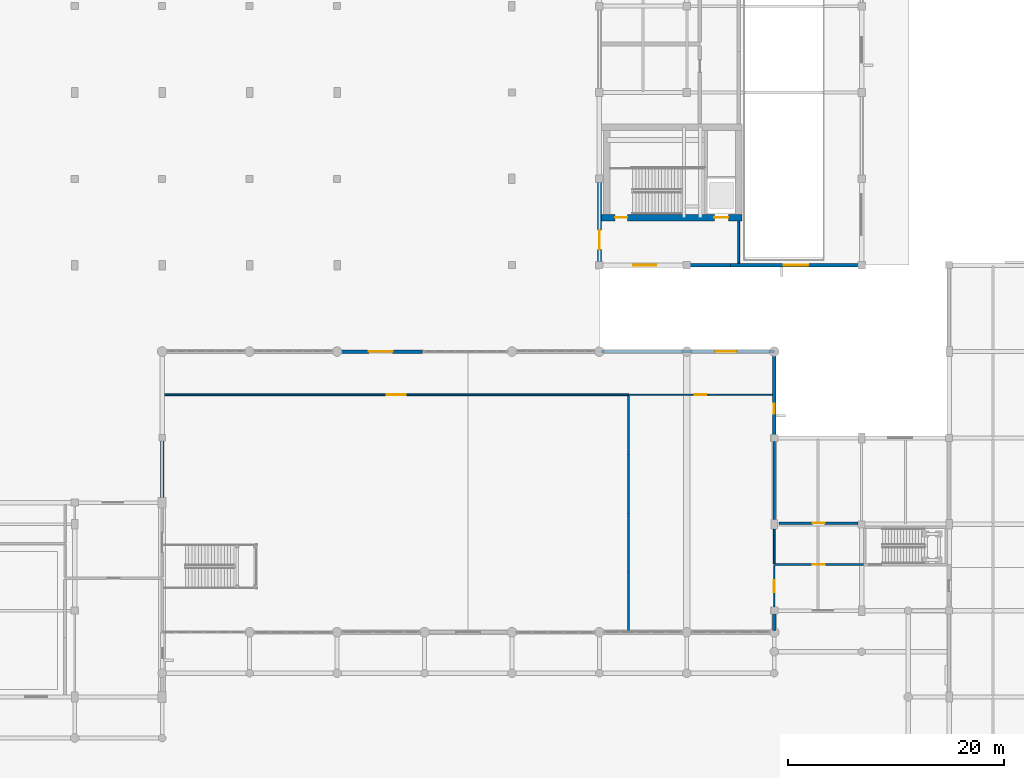
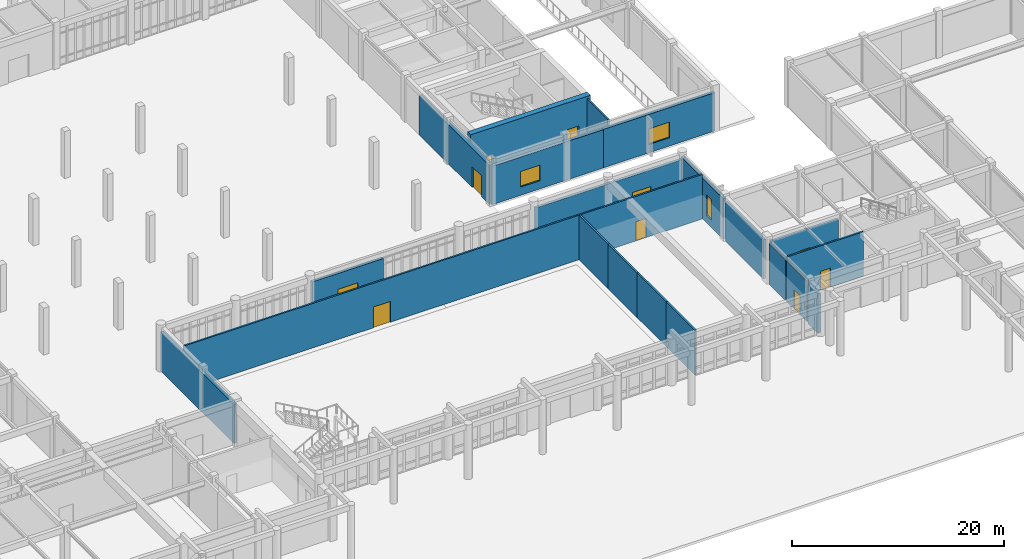
# One storey, part 44 of 62: 21 walls, 10 doors, 3 windows, 13 openings.
"""IFC4 building model written with IfcOpenShell, lengths in metres."""

from ifc_helpers import new_model, si_unit, direction, frame, frame_2d, origin, place, context, subcontext, project, spatial, rectangle, extrude, material, layer, layer_set, type_object, element, fill, save


model = new_model("IFC4")

# Units and contexts
model_context = context("Model", 3, precision=1e-05, world=origin(), true_north=direction((0.0, 1.0)))
body_context = subcontext(model_context, "Body", "Model", "MODEL_VIEW")
ifc_project = project(units=[si_unit("LENGTHUNIT", "METRE"), si_unit("AREAUNIT", "SQUARE_METRE"), si_unit("VOLUMEUNIT", "CUBIC_METRE"), si_unit("PLANEANGLEUNIT", "RADIAN"), si_unit("MASSUNIT", "GRAM", prefix="KILO")], contexts=[model_context])

# Site, building, storey
site_placement = place(None, origin())
site = spatial("IfcSite", under=ifc_project, at=site_placement, CompositionType="ELEMENT")
building_placement = place(site_placement, origin())
building = spatial("IfcBuilding", under=site, at=building_placement, Name="Tarnveldt Square Police Headquarters", CompositionType="ELEMENT")
storey_placement = place(building_placement, origin())
storey = spatial("IfcBuildingStorey", under=building, at=storey_placement, Name="L00", CompositionType="ELEMENT", Elevation=0.0)

# Walls
ifc_material_1 = material(Name="Fire-rated Type X gypsum board on steel studs", Category="steel")
ifc_layer_1 = layer(ifc_material_1, 0.199951171875)
ifc_layer_set_1 = layer_set([ifc_layer_1], Name="Fire-rated Type X gypsum board on steel studs")
wall_type_1 = type_object("IfcWallType", Name="WL-ACOUST-200", PredefinedType="PARTITIONING", material=ifc_layer_set_1)
for number, where, z_axis, x_axis, name in (
    (1, (108.0, 22.06494140625, 0.0), (0.0, 0.0, 1.0), (0.0, 1.0, 0.0), "L00 Interior Partition Wall 0189"),
    (2, (108.0, 27.524169921875, 0.0), (0.0, 0.0, 1.0), (0.0, 1.0, 0.0), "L00 Interior Partition Wall 0190"),
):
    element("IfcWall", number, at=place(storey_placement, frame(where, z_axis=z_axis, x_axis=x_axis)), inside=storey, type_object=wall_type_1, Name=name, PredefinedType="PARTITIONING", context=body_context, shape_type="SweptSolid", body=[
        extrude(rectangle(XDim=5.459228515625, YDim=0.199951171875, at=frame_2d((2.7294921875, 0.0))), origin(), (0.0, 0.0, 1.0), 5.1201171875),
    ])
wall_1_placement = place(storey_placement, frame((108.0, 32.9833984375, 0.0), z_axis=(0.0, 0.0, 1.0), x_axis=(0.0, 1.0, 0.0)))
element("IfcWall", 3, at=wall_1_placement, inside=storey, type_object=wall_type_1, Name="L00 Interior Partition Wall 0191", PredefinedType="PARTITIONING", context=body_context, shape_type="SweptSolid", body=[
    extrude(rectangle(XDim=5.45947265625, YDim=0.199951171875, at=frame_2d((2.729736328125, 0.0))), origin(), (0.0, 0.0, 1.0), 5.1201171875),
])
wall_2_placement = place(storey_placement, frame((108.0, 38.44287109375, 0.0), z_axis=(0.0, 0.0, 1.0), x_axis=(0.0, 1.0, 0.0)))
element("IfcWall", 4, at=wall_2_placement, inside=storey, type_object=wall_type_1, Name="L00 Interior Partition Wall 0192", PredefinedType="PARTITIONING", context=body_context, shape_type="SweptSolid", body=[
    extrude(rectangle(XDim=5.459228515625, YDim=0.199951171875, at=frame_2d((2.7294921875, 0.0))), origin(), (0.0, 0.0, 1.0), 5.1201171875),
])

# Wall, openings, doors
ifc_material_2 = material(Name="Concrete 50 MPa", Category="concrete")
ifc_layer_2 = layer(ifc_material_2, 0.60009765625)
ifc_layer_set_2 = layer_set([ifc_layer_2], Name="Concrete 50 MPa")
wall_type_2 = type_object("IfcWallType", Name="WL-CORE-600", PredefinedType="SHEAR", material=ifc_layer_set_2)
wall_3_placement = place(storey_placement, frame((105.47998046875, 60.39990234375, 0.0), z_axis=(0.0, 0.0, 1.0), x_axis=(1.0, 0.0, 0.0)))
wall_3 = element("IfcWall", 5, at=wall_3_placement, inside=storey, type_object=wall_type_2, Name="Core K4 East Custody and Tactical Core L00 South Shear Wall", PredefinedType="SHEAR", context=body_context, shape_type="SweptSolid", body=[
    extrude(rectangle(XDim=13.02001953125, YDim=0.60009765625, at=frame_2d((6.510009765625, 0.0))), origin(), (0.0, 0.0, 1.0), 5.39990234375),
])
opening_1_placement = place(wall_3_placement, frame((1.27001953125, 0.0, 0.0)))
opening_1 = element("IfcOpeningElement", 6, at=opening_1_placement, cuts=wall_3, Name="Opening D-ST4-L00", PredefinedType="OPENING", context=body_context, shape_type="SweptSolid", body=[
    extrude(rectangle(XDim=1.14990234375, YDim=2.25, at=frame_2d((0.574951171875, 1.125))), frame((0.0, 0.31005859375, 0.0), z_axis=(0.0, -1.0, 0.0), x_axis=(1.0, 0.0, 0.0)), (0.0, 0.0, 1.0), 0.6201171875),
])
opening_2_placement = place(wall_3_placement, frame((10.47509765625, 0.0, 0.0)))
opening_2 = element("IfcOpeningElement", 7, at=opening_2_placement, cuts=wall_3, Name="Opening LD-LS1-L00", PredefinedType="OPENING", context=body_context, shape_type="SweptSolid", body=[
    extrude(rectangle(XDim=1.300048828125, YDim=2.300048828125, at=frame_2d((0.64990234375, 1.14990234375))), frame((0.0, 0.31005859375, 0.0), z_axis=(0.0, -1.0, 0.0), x_axis=(1.0, 0.0, 0.0)), (0.0, 0.0, 1.0), 0.6201171875),
])
ifc_material_3 = material(Name="Insulated hollow metal steel door leaf", Category="steel")
door_type_1 = type_object("IfcDoorType", Name="DR-FD90-1150", OperationType="NOTDEFINED", PredefinedType="DOOR", material=ifc_material_3)
door_1_placement = place(opening_1_placement, frame((1.14990234375, 0.0, 0.0), z_axis=(0.0, 0.0, 1.0), x_axis=(-1.0, 0.0, 0.0)))
door_1 = element("IfcDoor", 8, at=door_1_placement, inside=storey, type_object=door_type_1, Name="Exit Stair ST4 L00 Fire Door", OperationType="SINGLE_SWING_RIGHT", OverallHeight=2.25, OverallWidth=1.14990234375, PredefinedType="DOOR", context=body_context, shape_type="SweptSolid", body=[
    extrude(rectangle(XDim=1.14990234375, YDim=2.25, at=frame_2d((0.574951171875, 1.125))), frame((0.0, 0.02490234375, 0.0), z_axis=(0.0, -1.0, 0.0), x_axis=(1.0, 0.0, 0.0)), (0.0, 0.0, 1.0), 0.050048828125),
])
fill(opening_1, door_1)
ifc_material_4 = material(Name="Steel 350W", Category="steel")
door_type_2 = type_object("IfcDoorType", Name="DR-LD-1300", OperationType="DOUBLE_DOOR_SLIDING", PredefinedType="DOOR", material=ifc_material_4)
door_2_placement = place(opening_2_placement, frame((1.300048828125, 0.0, 0.0), z_axis=(0.0, 0.0, 1.0), x_axis=(-1.0, 0.0, 0.0)))
door_2 = element("IfcDoor", 9, at=door_2_placement, inside=storey, type_object=door_type_2, Name="Elevator LS1 L00 Sliding Landing Door", OperationType="DOUBLE_DOOR_SLIDING", OverallHeight=2.300048828125, OverallWidth=1.300048828125, PredefinedType="DOOR", context=body_context, shape_type="SweptSolid", body=[
    extrude(rectangle(XDim=1.300048828125, YDim=2.300048828125, at=frame_2d((0.64990234375, 1.14990234375))), frame((0.0, 0.02490234375, 0.0), z_axis=(0.0, -1.0, 0.0), x_axis=(1.0, 0.0, 0.0)), (0.0, 0.0, 1.0), 0.050048828125),
])
fill(opening_2, door_2)

# Wall, opening, window
ifc_material_5 = material(Name="Concrete 40 MPa", Category="concrete")
ifc_layer_3 = layer(ifc_material_5, 0.35009765625)
ifc_layer_set_3 = layer_set([ifc_layer_3], Name="Concrete 40 MPa")
wall_type_3 = type_object("IfcWallType", Name="WL-CUST-350", PredefinedType="SOLIDWALL", material=ifc_layer_set_3)
wall_4_placement = place(storey_placement, frame((105.300048828125, 56.0, 0.0), z_axis=(0.0, 0.0, 1.0), x_axis=(1.0, 0.0, 0.0)))
wall_4 = element("IfcWall", 10, at=wall_4_placement, inside=storey, type_object=wall_type_3, Name="L00 Brutalist Exterior Wall 0049", PredefinedType="SOLIDWALL", context=body_context, shape_type="SweptSolid", body=[
    extrude(rectangle(XDim=12.14990234375, YDim=0.35009765625, at=frame_2d((6.074951171875, 0.0))), origin(), (0.0, 0.0, 1.0), 4.412109375),
])
opening_3_placement = place(wall_4_placement, frame((3.14990234375, 0.0, 0.949951171875)))
opening_3 = element("IfcOpeningElement", 11, at=opening_3_placement, cuts=wall_4, Name="Opening W12", PredefinedType="OPENING", context=body_context, shape_type="SweptSolid", body=[
    extrude(rectangle(XDim=2.10009765625, YDim=1.800048828125, at=frame_2d((1.050048828125, 0.89990234375))), frame((0.0, 0.18505859375, 0.0), z_axis=(0.0, -1.0, 0.0), x_axis=(1.0, 0.0, 0.0)), (0.0, 0.0, 1.0), 0.3701171875),
])
ifc_material_6 = material(Name="Triple-glazed low-e laminated vision glass", Category="glass")
window_type_1 = type_object("IfcWindowType", Name="WIN-DR-210x180", PartitioningType="DOUBLE_PANEL_VERTICAL", PredefinedType="WINDOW", material=ifc_material_6)
window_1_placement = place(opening_3_placement, origin())
window_1 = element("IfcWindow", 12, at=window_1_placement, inside=storey, type_object=window_type_1, Name="L00 Deep-Reveal Brutalist Window 0012", OverallHeight=1.800048828125, OverallWidth=2.10009765625, PartitioningType="DOUBLE_PANEL_VERTICAL", PredefinedType="WINDOW", context=body_context, shape_type="SweptSolid", body=[
    extrude(rectangle(XDim=2.10009765625, YDim=1.800048828125, at=frame_2d((1.050048828125, 0.89990234375))), frame((0.0, 0.030029296875, 0.0), z_axis=(0.0, -1.0, 0.0), x_axis=(1.0, 0.0, 0.0)), (0.0, 0.0, 1.0), 0.06005859375),
])
fill(opening_3, window_1)

wall_5_placement = place(storey_placement, frame((117.449951171875, 56.0, 0.0), z_axis=(0.0, 0.0, 1.0), x_axis=(1.0, 0.0, 0.0)))
wall_5 = element("IfcWall", 13, at=wall_5_placement, inside=storey, type_object=wall_type_3, Name="L00 Brutalist Exterior Wall 0050", PredefinedType="SOLIDWALL", context=body_context, shape_type="SweptSolid", body=[
    extrude(rectangle(XDim=12.150146484375, YDim=0.35009765625, at=frame_2d((6.0751953125, 0.0))), origin(), (0.0, 0.0, 1.0), 4.424072265625),
])
opening_4_placement = place(wall_5_placement, frame((4.949951171875, 0.0, 0.949951171875)))
opening_4 = element("IfcOpeningElement", 14, at=opening_4_placement, cuts=wall_5, Name="Opening W13", PredefinedType="OPENING", context=body_context, shape_type="SweptSolid", body=[
    extrude(rectangle(XDim=2.25, YDim=1.800048828125, at=frame_2d((1.125, 0.89990234375))), frame((0.0, 0.18505859375, 0.0), z_axis=(0.0, -1.0, 0.0), x_axis=(1.0, 0.0, 0.0)), (0.0, 0.0, 1.0), 0.3701171875),
])
window_type_2 = type_object("IfcWindowType", Name="WIN-DR-225x180", PartitioningType="TRIPLE_PANEL_VERTICAL", PredefinedType="WINDOW", material=ifc_material_6)
window_2_placement = place(opening_4_placement, origin())
window_2 = element("IfcWindow", 15, at=window_2_placement, inside=storey, type_object=window_type_2, Name="L00 Deep-Reveal Brutalist Window 0013", OverallHeight=1.800048828125, OverallWidth=2.25, PartitioningType="TRIPLE_PANEL_VERTICAL", PredefinedType="WINDOW", context=body_context, shape_type="SweptSolid", body=[
    extrude(rectangle(XDim=2.25, YDim=1.800048828125, at=frame_2d((1.125, 0.89990234375))), frame((0.0, 0.030029296875, 0.0), z_axis=(0.0, -1.0, 0.0), x_axis=(1.0, 0.0, 0.0)), (0.0, 0.0, 1.0), 0.06005859375),
])
fill(opening_4, window_2)

# Wall, opening, door
wall_6_placement = place(storey_placement, frame((105.300048828125, 69.2734375, 0.0), z_axis=(0.0, 0.0, 1.0), x_axis=(0.0, -1.0, 0.0)))
wall_6 = element("IfcWall", 16, at=wall_6_placement, inside=storey, type_object=wall_type_3, Name="L00 Brutalist Exterior Wall 0058", PredefinedType="SOLIDWALL", context=body_context, shape_type="SweptSolid", body=[
    extrude(rectangle(XDim=13.2734375, YDim=0.35009765625, at=frame_2d((6.63671875, 0.0))), origin(), (0.0, 0.0, 1.0), 4.511962890625),
])
opening_5_placement = place(wall_6_placement, frame((10.0234375, 0.0, 0.0)))
opening_5 = element("IfcOpeningElement", 17, at=opening_5_placement, cuts=wall_6, Name="Opening D-E21", PredefinedType="OPENING", context=body_context, shape_type="SweptSolid", body=[
    extrude(rectangle(XDim=1.800048828125, YDim=2.39990234375, at=frame_2d((0.89990234375, 1.199951171875))), frame((0.0, 0.18505859375, 0.0), z_axis=(0.0, -1.0, 0.0), x_axis=(1.0, 0.0, 0.0)), (0.0, 0.0, 1.0), 0.3701171875),
])
ifc_material_7 = material(Name="Thermally broken anodised aluminium 6063-T6", Category="aluminium")
door_type_3 = type_object("IfcDoorType", Name="DR-EXIT-1800", OperationType="DOUBLE_DOOR_SINGLE_SWING", PredefinedType="DOOR", material=ifc_material_7)
door_3_placement = place(opening_5_placement, frame((1.800048828125, 0.0, 0.0), z_axis=(0.0, 0.0, 1.0), x_axis=(-1.0, 0.0, 0.0)))
door_3 = element("IfcDoor", 18, at=door_3_placement, inside=storey, type_object=door_type_3, Name="Exit Stair ST4 Grade Final Exit Door D-E21", OperationType="DOUBLE_DOOR_SINGLE_SWING", OverallHeight=2.39990234375, OverallWidth=1.800048828125, PredefinedType="DOOR", context=body_context, shape_type="SweptSolid", body=[
    extrude(rectangle(XDim=1.800048828125, YDim=2.39990234375, at=frame_2d((0.89990234375, 1.199951171875))), frame((0.0, 0.02490234375, 0.0), z_axis=(0.0, -1.0, 0.0), x_axis=(1.0, 0.0, 0.0)), (0.0, 0.0, 1.0), 0.050048828125),
])
fill(opening_5, door_3)

# Wall
ifc_layer_4 = layer(ifc_material_5, 0.320068359375)
ifc_layer_set_4 = layer_set([ifc_layer_4], Name="Concrete 40 MPa")
wall_type_4 = type_object("IfcWallType", Name="WL-EXT-BH320", PredefinedType="SOLIDWALL", material=ifc_layer_set_4)
wall_7_placement = place(storey_placement, frame((121.5, 22.179931640625, 0.0), z_axis=(0.0, 0.0, 1.0), x_axis=(0.0, 1.0, 0.0)))
element("IfcWall", 19, at=wall_7_placement, inside=storey, type_object=wall_type_4, Name="L00 Brutalist Exterior Wall 0009", PredefinedType="SOLIDWALL", context=body_context, shape_type="SweptSolid", body=[
    extrude(rectangle(XDim=1.820068359375, YDim=0.320068359375, at=frame_2d((0.91015625, 0.0))), origin(), (0.0, 0.0, 1.0), 4.511962890625),
])

# Wall, opening, window
wall_8_placement = place(storey_placement, frame((121.5, 40.0, 0.0), z_axis=(0.0, 0.0, 1.0), x_axis=(0.0, 1.0, 0.0)))
wall_8 = element("IfcWall", 20, at=wall_8_placement, inside=storey, type_object=wall_type_4, Name="L00 Brutalist Exterior Wall 0023", PredefinedType="SOLIDWALL", context=body_context, shape_type="SweptSolid", body=[
    extrude(rectangle(XDim=8.0, YDim=0.320068359375, at=frame_2d((4.0, 0.0))), origin(), (0.0, 0.0, 1.0), 4.695068359375),
])
opening_6_placement = place(wall_8_placement, frame((2.25, 0.0, 0.85009765625)))
opening_6 = element("IfcOpeningElement", 21, at=opening_6_placement, cuts=wall_8, Name="Opening W03", PredefinedType="OPENING", context=body_context, shape_type="SweptSolid", body=[
    extrude(rectangle(XDim=0.89990234375, YDim=2.39990234375, at=frame_2d((0.449951171875, 1.199951171875))), frame((0.0, 0.169921875, 0.0), z_axis=(0.0, -1.0, 0.0), x_axis=(1.0, 0.0, 0.0)), (0.0, 0.0, 1.0), 0.340087890625),
])
window_type_3 = type_object("IfcWindowType", Name="WIN-DR-090x240", PartitioningType="DOUBLE_PANEL_HORIZONTAL", PredefinedType="WINDOW", material=ifc_material_6)
window_3_placement = place(opening_6_placement, origin())
window_3 = element("IfcWindow", 22, at=window_3_placement, inside=storey, type_object=window_type_3, Name="L00 Deep-Reveal Brutalist Window 0003", OverallHeight=2.39990234375, OverallWidth=0.89990234375, PartitioningType="DOUBLE_PANEL_HORIZONTAL", PredefinedType="WINDOW", context=body_context, shape_type="SweptSolid", body=[
    extrude(rectangle(XDim=0.89990234375, YDim=2.39990234375, at=frame_2d((0.449951171875, 1.199951171875))), frame((0.0, 0.030029296875, 0.0), z_axis=(0.0, -1.0, 0.0), x_axis=(1.0, 0.0, 0.0)), (0.0, 0.0, 1.0), 0.06005859375),
])
fill(opening_6, window_3)

# Wall, opening, door
wall_9_placement = place(storey_placement, frame((88.919921875, 48.0, 0.0), z_axis=(0.0, 0.0, 1.0), x_axis=(-1.0, 0.0, 0.0)))
wall_9 = element("IfcWall", 23, at=wall_9_placement, inside=storey, type_object=wall_type_4, Name="L00 Brutalist Exterior Wall 0025", PredefinedType="SOLIDWALL", context=body_context, shape_type="SweptSolid", body=[
    extrude(rectangle(XDim=7.739990234375, YDim=0.320068359375, at=frame_2d((3.8701171875, 0.0))), origin(), (0.0, 0.0, 1.0), 4.424072265625),
])
opening_7_placement = place(wall_9_placement, frame((2.77001953125, 0.0, 0.0)))
opening_7 = element("IfcOpeningElement", 24, at=opening_7_placement, cuts=wall_9, Name="Opening D-E10", PredefinedType="OPENING", context=body_context, shape_type="SweptSolid", body=[
    extrude(rectangle(XDim=2.199951171875, YDim=2.60009765625, at=frame_2d((1.10009765625, 1.300048828125))), frame((0.0, 0.169921875, 0.0), z_axis=(0.0, -1.0, 0.0), x_axis=(1.0, 0.0, 0.0)), (0.0, 0.0, 1.0), 0.340087890625),
])
door_type_4 = type_object("IfcDoorType", Name="DR-EXIT-2200", OperationType="DOUBLE_DOOR_SINGLE_SWING", PredefinedType="DOOR", material=ifc_material_7)
door_4_placement = place(opening_7_placement, frame((2.199951171875, 0.0, 0.0), z_axis=(0.0, 0.0, 1.0), x_axis=(-1.0, 0.0, 0.0)))
door_4 = element("IfcDoor", 25, at=door_4_placement, inside=storey, type_object=door_type_4, Name="Pedestrian Grade Final Exit Door D-E10", OperationType="DOUBLE_DOOR_SINGLE_SWING", OverallHeight=2.60009765625, OverallWidth=2.199951171875, PredefinedType="DOOR", context=body_context, shape_type="SweptSolid", body=[
    extrude(rectangle(XDim=2.199951171875, YDim=2.60009765625, at=frame_2d((1.10009765625, 1.300048828125))), frame((0.0, 0.02490234375, 0.0), z_axis=(0.0, -1.0, 0.0), x_axis=(1.0, 0.0, 0.0)), (0.0, 0.0, 1.0), 0.050048828125),
])
fill(opening_7, door_4)

ifc_material_8 = material(Name="Manganese ironspot clay brick masonry 20 MPa", Category="masonry")
ifc_layer_5 = layer(ifc_material_8, 0.300048828125)
ifc_layer_set_5 = layer_set([ifc_layer_5], Name="Manganese ironspot clay brick masonry 20 MPa")
wall_type_5 = type_object("IfcWallType", Name="WL-EXT-BRK300", PredefinedType="SOLIDWALL", material=ifc_layer_set_5)
wall_10_placement = place(storey_placement, frame((121.5, 48.0, 0.0), z_axis=(0.0, 0.0, 1.0), x_axis=(-1.0, 0.0, 0.0)))
wall_10 = element("IfcWall", 26, at=wall_10_placement, inside=storey, type_object=wall_type_5, Name="L00 Brutalist Exterior Wall 0024", PredefinedType="SOLIDWALL", context=body_context, shape_type="SweptSolid", body=[
    extrude(rectangle(XDim=16.02001953125, YDim=0.300048828125, at=frame_2d((8.010009765625, 0.0))), origin(), (0.0, 0.0, 1.0), 4.412109375),
])
opening_8_placement = place(wall_10_placement, frame((3.485595703125, 0.0, 0.0)))
opening_8 = element("IfcOpeningElement", 27, at=opening_8_placement, cuts=wall_10, Name="Opening D-E09", PredefinedType="OPENING", context=body_context, shape_type="SweptSolid", body=[
    extrude(rectangle(XDim=2.0, YDim=2.5, at=frame_2d((1.0, 1.25))), frame((0.0, 0.159912109375, 0.0), z_axis=(0.0, -1.0, 0.0), x_axis=(1.0, 0.0, 0.0)), (0.0, 0.0, 1.0), 0.320068359375),
])
door_type_5 = type_object("IfcDoorType", Name="DR-EXIT-2000", OperationType="DOUBLE_DOOR_SINGLE_SWING", PredefinedType="DOOR", material=ifc_material_7)
door_5_placement = place(opening_8_placement, frame((2.0, 0.0, 0.0), z_axis=(0.0, 0.0, 1.0), x_axis=(-1.0, 0.0, 0.0)))
door_5 = element("IfcDoor", 28, at=door_5_placement, inside=storey, type_object=door_type_5, Name="Pedestrian Grade Final Exit Door D-E09", OperationType="DOUBLE_DOOR_SINGLE_SWING", OverallHeight=2.5, OverallWidth=2.0, PredefinedType="DOOR", context=body_context, shape_type="SweptSolid", body=[
    extrude(rectangle(XDim=2.0, YDim=2.5, at=frame_2d((1.0, 1.25))), frame((0.0, 0.02490234375, 0.0), z_axis=(0.0, -1.0, 0.0), x_axis=(1.0, 0.0, 0.0)), (0.0, 0.0, 1.0), 0.050048828125),
])
fill(opening_8, door_5)

# Wall
wall_11_placement = place(storey_placement, frame((64.800048828125, 47.820068359375, 0.0), z_axis=(0.0, 0.0, 1.0), x_axis=(0.0, -1.0, 0.0)))
element("IfcWall", 29, at=wall_11_placement, inside=storey, type_object=wall_type_5, Name="L00 Brutalist Exterior Wall 0026", PredefinedType="SOLIDWALL", context=body_context, shape_type="SweptSolid", body=[
    extrude(rectangle(XDim=13.820068359375, YDim=0.300048828125, at=frame_2d((6.91015625, 0.0))), origin(), (0.0, 0.0, 1.0), 4.511962890625),
])

# Wall, opening, door
ifc_layer_6 = layer(ifc_material_1, 0.179931640625)
ifc_layer_set_6 = layer_set([ifc_layer_6], Name="Fire-rated Type X gypsum board on steel studs")
wall_type_6 = type_object("IfcWallType", Name="WL-FIRE-180", PredefinedType="PARTITIONING", material=ifc_layer_set_6)
wall_12_placement = place(storey_placement, frame((64.9580078125, 44.0, 0.0), z_axis=(0.0, 0.0, 1.0), x_axis=(1.0, 0.0, 0.0)))
wall_12 = element("IfcWall", 30, at=wall_12_placement, inside=storey, type_object=wall_type_6, Name="L00 Interior Partition Wall 0133", PredefinedType="PARTITIONING", context=body_context, shape_type="SweptSolid", body=[
    extrude(rectangle(XDim=43.0419921875, YDim=0.179931640625, at=frame_2d((21.52099609375, 0.0))), origin(), (0.0, 0.0, 1.0), 5.1201171875),
])
opening_9_placement = place(wall_12_placement, frame((20.62109375, 0.0, 0.0)))
opening_9 = element("IfcOpeningElement", 31, at=opening_9_placement, cuts=wall_12, Name="Opening D24", PredefinedType="OPENING", context=body_context, shape_type="SweptSolid", body=[
    extrude(rectangle(XDim=1.800048828125, YDim=2.39990234375, at=frame_2d((0.89990234375, 1.199951171875))), frame((0.0, 0.099853515625, 0.0), z_axis=(0.0, -1.0, 0.0), x_axis=(1.0, 0.0, 0.0)), (0.0, 0.0, 1.0), 0.199951171875),
])
door_type_6 = type_object("IfcDoorType", Name="DR-PAIR-1800", OperationType="DOUBLE_DOOR_SINGLE_SWING", PredefinedType="DOOR", material=ifc_material_3)
door_6_placement = place(opening_9_placement, frame((1.800048828125, 0.0, 0.0), z_axis=(0.0, 0.0, 1.0), x_axis=(-1.0, 0.0, 0.0)))
door_6 = element("IfcDoor", 32, at=door_6_placement, inside=storey, type_object=door_type_6, Name="Public Entrance Hall Door", OperationType="DOUBLE_DOOR_SINGLE_SWING", OverallHeight=2.39990234375, OverallWidth=1.800048828125, PredefinedType="DOOR", context=body_context, shape_type="SweptSolid", body=[
    extrude(rectangle(XDim=1.800048828125, YDim=2.39990234375, at=frame_2d((0.89990234375, 1.199951171875))), frame((0.0, 0.02490234375, 0.0), z_axis=(0.0, -1.0, 0.0), x_axis=(1.0, 0.0, 0.0)), (0.0, 0.0, 1.0), 0.050048828125),
])
fill(opening_9, door_6)

wall_13_placement = place(storey_placement, frame((108.0, 44.0, 0.0), z_axis=(0.0, 0.0, 1.0), x_axis=(1.0, 0.0, 0.0)))
wall_13 = element("IfcWall", 33, at=wall_13_placement, inside=storey, type_object=wall_type_6, Name="L00 Interior Partition Wall 0139", PredefinedType="PARTITIONING", context=body_context, shape_type="SweptSolid", body=[
    extrude(rectangle(XDim=13.33203125, YDim=0.179931640625, at=frame_2d((6.666015625, 0.0))), origin(), (0.0, 0.0, 1.0), 5.1201171875),
])
opening_10_placement = place(wall_13_placement, frame((6.115966796875, 0.0, 0.0)))
opening_10 = element("IfcOpeningElement", 34, at=opening_10_placement, cuts=wall_13, Name="Opening D07", PredefinedType="OPENING", context=body_context, shape_type="SweptSolid", body=[
    extrude(rectangle(XDim=1.10009765625, YDim=2.199951171875, at=frame_2d((0.550048828125, 1.10009765625))), frame((0.0, 0.099853515625, 0.0), z_axis=(0.0, -1.0, 0.0), x_axis=(1.0, 0.0, 0.0)), (0.0, 0.0, 1.0), 0.199951171875),
])
ifc_material_9 = material(Name="Solid core architectural birch door leaf", Category="wood")
door_type_7 = type_object("IfcDoorType", Name="DR-INT-1100", OperationType="NOTDEFINED", PredefinedType="DOOR", material=ifc_material_9)
door_7_placement = place(opening_10_placement, frame((1.10009765625, 0.0, 0.0), z_axis=(0.0, 0.0, 1.0), x_axis=(-1.0, 0.0, 0.0)))
door_7 = element("IfcDoor", 35, at=door_7_placement, inside=storey, type_object=door_type_7, Name="Public Screening and Memorial Gallery Door", OperationType="SINGLE_SWING_RIGHT", OverallHeight=2.199951171875, OverallWidth=1.10009765625, PredefinedType="DOOR", context=body_context, shape_type="SweptSolid", body=[
    extrude(rectangle(XDim=1.10009765625, YDim=2.199951171875, at=frame_2d((0.550048828125, 1.10009765625))), frame((0.0, 0.02490234375, 0.0), z_axis=(0.0, -1.0, 0.0), x_axis=(1.0, 0.0, 0.0)), (0.0, 0.0, 1.0), 0.050048828125),
])
fill(opening_10, door_7)

wall_14_placement = place(storey_placement, frame((121.5, 28.260009765625, 0.0), z_axis=(0.0, 0.0, 1.0), x_axis=(1.0, 0.0, 0.0)))
wall_14 = element("IfcWall", 36, at=wall_14_placement, inside=storey, type_object=wall_type_6, Name="L00 Interior Partition Wall 0140", PredefinedType="PARTITIONING", context=body_context, shape_type="SweptSolid", body=[
    extrude(rectangle(XDim=8.260009765625, YDim=0.179931640625, at=frame_2d((4.1298828125, 0.0))), origin(), (0.0, 0.0, 1.0), 5.1201171875),
])
opening_11_placement = place(wall_14_placement, frame((3.580078125, 0.0, 0.0)))
opening_11 = element("IfcOpeningElement", 37, at=opening_11_placement, cuts=wall_14, Name="Opening D15", PredefinedType="OPENING", context=body_context, shape_type="SweptSolid", body=[
    extrude(rectangle(XDim=1.10009765625, YDim=2.199951171875, at=frame_2d((0.550048828125, 1.10009765625))), frame((0.0, 0.099853515625, 0.0), z_axis=(0.0, -1.0, 0.0), x_axis=(1.0, 0.0, 0.0)), (0.0, 0.0, 1.0), 0.199951171875),
])
door_type_8 = type_object("IfcDoorType", Name="DR-FD60-1100", OperationType="NOTDEFINED", PredefinedType="DOOR", material=ifc_material_3)
door_8_placement = place(opening_11_placement, origin())
door_8 = element("IfcDoor", 38, at=door_8_placement, inside=storey, type_object=door_type_8, Name="East Wing Range Safety Vestibule Door", OperationType="SINGLE_SWING_LEFT", OverallHeight=2.199951171875, OverallWidth=1.10009765625, PredefinedType="DOOR", context=body_context, shape_type="SweptSolid", body=[
    extrude(rectangle(XDim=1.10009765625, YDim=2.199951171875, at=frame_2d((0.550048828125, 1.10009765625))), frame((0.0, 0.02490234375, 0.0), z_axis=(0.0, -1.0, 0.0), x_axis=(1.0, 0.0, 0.0)), (0.0, 0.0, 1.0), 0.050048828125),
])
fill(opening_11, door_8)

# Wall
wall_15_placement = place(storey_placement, frame((118.199951171875, 56.18310546875, 0.0), z_axis=(0.0, 0.0, 1.0), x_axis=(0.0, 1.0, 0.0)))
element("IfcWall", 39, at=wall_15_placement, inside=storey, type_object=wall_type_6, Name="L00 Interior Partition Wall 0197", PredefinedType="PARTITIONING", context=body_context, shape_type="SweptSolid", body=[
    extrude(rectangle(XDim=3.908935546875, YDim=0.179931640625, at=frame_2d((1.95458984375, 0.0))), origin(), (0.0, 0.0, 1.0), 5.1201171875),
])

# Wall, opening, door
wall_16_placement = place(storey_placement, frame((121.5, 24.3330078125, 0.0), z_axis=(0.0, 0.0, 1.0), x_axis=(0.0, 1.0, 0.0)))
wall_16 = element("IfcWall", 40, at=wall_16_placement, inside=storey, type_object=wall_type_6, Name="L00 Interior Partition Wall 0202", PredefinedType="PARTITIONING", context=body_context, shape_type="SweptSolid", body=[
    extrude(rectangle(XDim=3.8291015625, YDim=0.179931640625, at=frame_2d((1.91455078125, 0.0))), origin(), (0.0, 0.0, 1.0), 4.695068359375),
])
opening_12_placement = place(wall_16_placement, frame((1.364501953125, 0.0, 0.0)))
opening_12 = element("IfcOpeningElement", 41, at=opening_12_placement, cuts=wall_16, Name="Opening D15", PredefinedType="OPENING", context=body_context, shape_type="SweptSolid", body=[
    extrude(rectangle(XDim=1.10009765625, YDim=2.199951171875, at=frame_2d((0.550048828125, 1.10009765625))), frame((0.0, 0.099853515625, 0.0), z_axis=(0.0, -1.0, 0.0), x_axis=(1.0, 0.0, 0.0)), (0.0, 0.0, 1.0), 0.199951171875),
])
door_9_placement = place(opening_12_placement, frame((1.10009765625, 0.0, 0.0), z_axis=(0.0, 0.0, 1.0), x_axis=(-1.0, 0.0, 0.0)))
door_9 = element("IfcDoor", 42, at=door_9_placement, inside=storey, type_object=door_type_8, Name="East Wing Range Vestibule Corridor Door", OperationType="SINGLE_SWING_RIGHT", OverallHeight=2.199951171875, OverallWidth=1.10009765625, PredefinedType="DOOR", context=body_context, shape_type="SweptSolid", body=[
    extrude(rectangle(XDim=1.10009765625, YDim=2.199951171875, at=frame_2d((0.550048828125, 1.10009765625))), frame((0.0, 0.02490234375, 0.0), z_axis=(0.0, -1.0, 0.0), x_axis=(1.0, 0.0, 0.0)), (0.0, 0.0, 1.0), 0.050048828125),
])
fill(opening_12, door_9)

# Wall
wall_17_placement = place(storey_placement, frame((121.5, 28.35791015625, 0.0), z_axis=(0.0, 0.0, 1.0), x_axis=(0.0, 1.0, 0.0)))
element("IfcWall", 43, at=wall_17_placement, inside=storey, type_object=wall_type_6, Name="L00 Interior Partition Wall 0203", PredefinedType="PARTITIONING", context=body_context, shape_type="SweptSolid", body=[
    extrude(rectangle(XDim=3.18408203125, YDim=0.179931640625, at=frame_2d((1.592041015625, 0.0))), origin(), (0.0, 0.0, 1.0), 4.695068359375),
])

# Wall, opening, door
ifc_material_10 = material(Name="Concrete block masonry 15 MPa", Category="masonry")
ifc_layer_7 = layer(ifc_material_10, 0.239990234375)
ifc_layer_set_7 = layer_set([ifc_layer_7], Name="Concrete block masonry 15 MPa")
wall_type_7 = type_object("IfcWallType", Name="WL-FIRE-240", PredefinedType="PARTITIONING", material=ifc_layer_set_7)
wall_18_placement = place(storey_placement, frame((121.9580078125, 32.10009765625, 0.0), z_axis=(0.0, 0.0, 1.0), x_axis=(1.0, 0.0, 0.0)))
wall_18 = element("IfcWall", 44, at=wall_18_placement, inside=storey, type_object=wall_type_7, Name="L00 Interior Partition Wall 0141", PredefinedType="PARTITIONING", context=body_context, shape_type="SweptSolid", body=[
    extrude(rectangle(XDim=7.30908203125, YDim=0.239990234375, at=frame_2d((3.654541015625, 0.0))), origin(), (0.0, 0.0, 1.0), 4.4619140625),
])
opening_13_placement = place(wall_18_placement, frame((3.1044921875, 0.0, 0.0)))
opening_13 = element("IfcOpeningElement", 45, at=opening_13_placement, cuts=wall_18, Name="Opening D18", PredefinedType="OPENING", context=body_context, shape_type="SweptSolid", body=[
    extrude(rectangle(XDim=1.10009765625, YDim=2.25, at=frame_2d((0.550048828125, 1.125))), frame((0.0, 0.1298828125, 0.0), z_axis=(0.0, -1.0, 0.0), x_axis=(1.0, 0.0, 0.0)), (0.0, 0.0, 1.0), 0.260009765625),
])
door_type_9 = type_object("IfcDoorType", Name="DR-FD90-1100", OperationType="NOTDEFINED", PredefinedType="DOOR", material=ifc_material_3)
door_10_placement = place(opening_13_placement, origin())
door_10 = element("IfcDoor", 46, at=door_10_placement, inside=storey, type_object=door_type_9, Name="Weapons Cleaning and Range Control Room Door", OperationType="SINGLE_SWING_RIGHT", OverallHeight=2.25, OverallWidth=1.10009765625, PredefinedType="DOOR", context=body_context, shape_type="SweptSolid", body=[
    extrude(rectangle(XDim=1.10009765625, YDim=2.25, at=frame_2d((0.550048828125, 1.125))), frame((0.0, 0.02490234375, 0.0), z_axis=(0.0, -1.0, 0.0), x_axis=(1.0, 0.0, 0.0)), (0.0, 0.0, 1.0), 0.050048828125),
])
fill(opening_13, door_10)

# Wall
wall_19_placement = place(storey_placement, frame((121.5, 32.4580078125, 0.0), z_axis=(0.0, 0.0, 1.0), x_axis=(0.0, 1.0, 0.0)))
element("IfcWall", 47, at=wall_19_placement, inside=storey, type_object=wall_type_7, Name="L00 Interior Partition Wall 0204", PredefinedType="PARTITIONING", context=body_context, shape_type="SweptSolid", body=[
    extrude(rectangle(XDim=7.208984375, YDim=0.239990234375, at=frame_2d((3.6044921875, 0.0))), origin(), (0.0, 0.0, 1.0), 4.511962890625),
])

save(model, "model.ifc")
